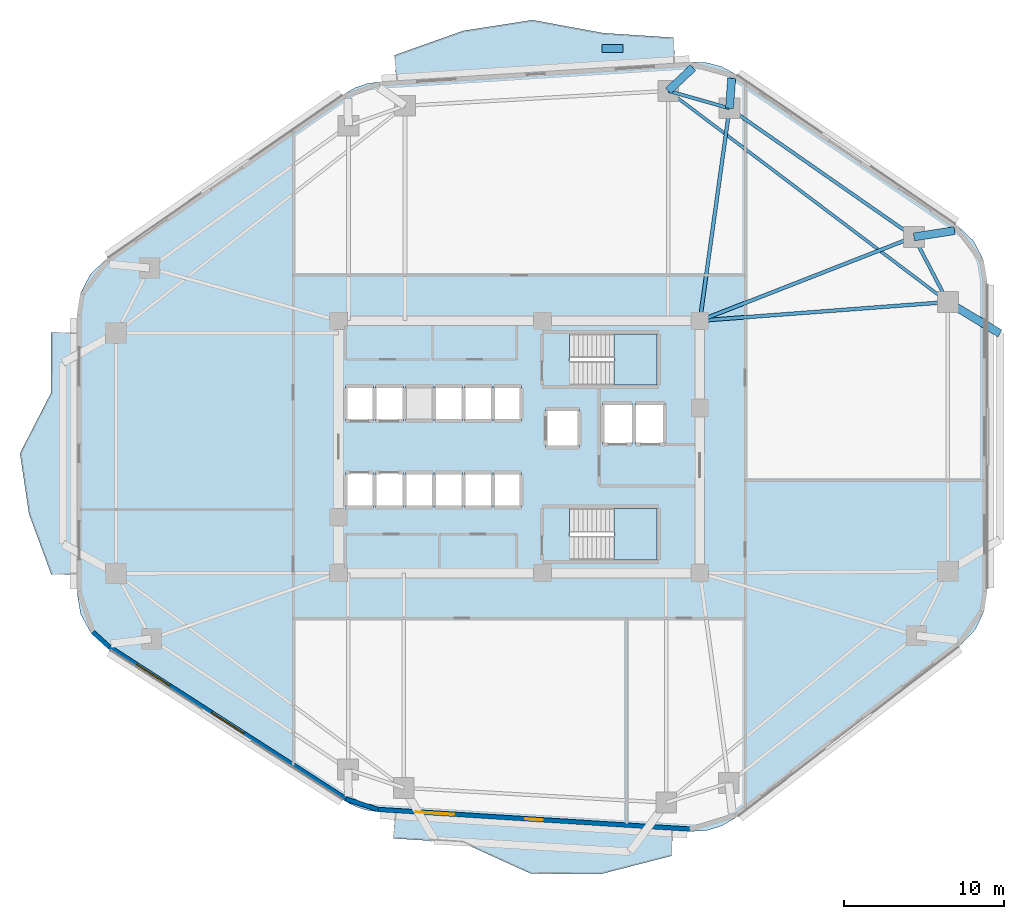
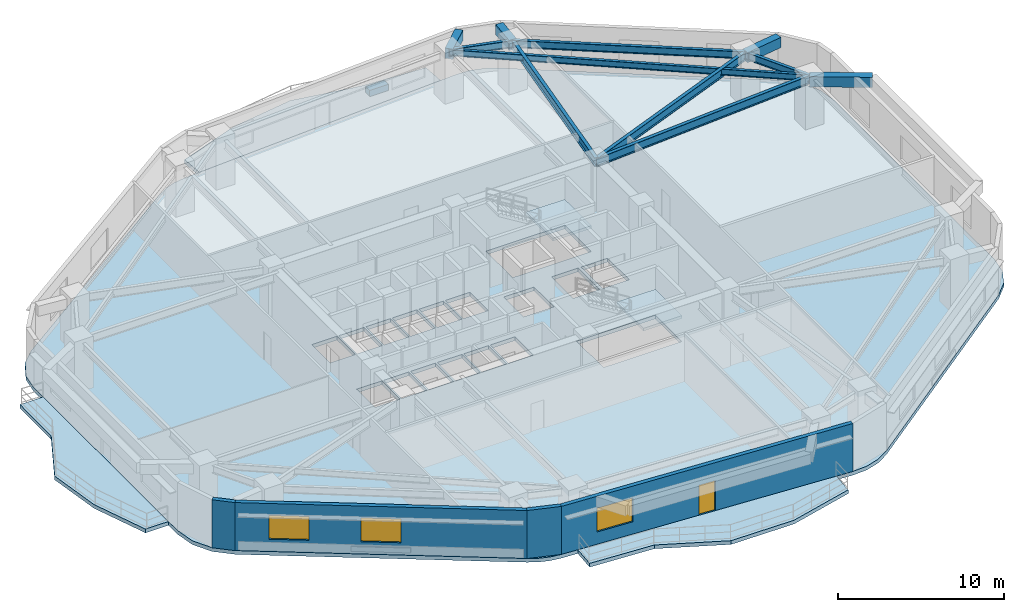
# One storey, part 2 of 11: 11 beams, 6 slabs, 4 walls, 3 windows, 1 door, 1 plate, 4 openings, 2 elements without a shape of their own.
"""IFC4 building model written with IfcOpenShell, lengths in metres."""

from ifc_helpers import new_model, si_unit, direction, frame, frame_2d, origin, origin_2d, place, context, subcontext, project, spatial, polyline, rectangle, i_section, outline, extrude, material, layer, layer_set, material_profile, profile_set, type_object, element, fill, aggregate, save


model = new_model("IFC4")

# Units and contexts
model_context = context("Model", 3, precision=1e-05, world=origin(), true_north=direction((0.0, 1.0)))
body_context = subcontext(model_context, "Body", "Model", "MODEL_VIEW")
ifc_project = project(units=[si_unit("LENGTHUNIT", "METRE"), si_unit("AREAUNIT", "SQUARE_METRE"), si_unit("VOLUMEUNIT", "CUBIC_METRE"), si_unit("PLANEANGLEUNIT", "RADIAN"), si_unit("MASSUNIT", "GRAM", prefix="KILO")], contexts=[model_context])

# Site, building, storey
site_placement = place(None, origin())
site = spatial("IfcSite", under=ifc_project, at=site_placement, CompositionType="ELEMENT")
building_placement = place(site_placement, origin())
building = spatial("IfcBuilding", under=site, at=building_placement, Name="Zulverin Broadcast Headquarters", CompositionType="ELEMENT")
storey_placement = place(building_placement, frame((0.0, 0.0, 28.800048828125)))
storey = spatial("IfcBuildingStorey", under=building, at=storey_placement, Name="L06", CompositionType="ELEMENT", Elevation=28.800048828125)

# Beams
ifc_material_1 = material(Name="Concrete C40/50", Category="concrete")
ifc_material_profile_1 = material_profile(ifc_material_1, rectangle(XDim=0.5, YDim=0.75, at=origin_2d()), Name="Concrete C40/50", Category="concrete")
ifc_profile_set_1 = profile_set([ifc_material_profile_1], Name="Concrete C40/50")
beam_type_1 = type_object("IfcBeamType", Name="BM-RC-500x750", PredefinedType="BEAM", material=ifc_profile_set_1)
beam_1_placement = place(storey_placement, frame((61.630126953125, 38.298583984375, 3.14990234375), z_axis=(0.988133444256, 0.153597839639, 0.0), x_axis=(-0.153597839639, 0.988133444256, 0.0)))
element("IfcBeam", 1, at=beam_1_placement, inside=storey, type_object=beam_type_1, Name="L07 Plate Overhang Back-Spanned Beam OVR-07", PredefinedType="BEAM", context=body_context, shape_type="SweptSolid", body=[
    extrude(rectangle(XDim=0.5, YDim=0.75, at=origin_2d()), origin(), (0.0, 0.0, 1.0), 2.57177734375),
])
beam_2_placement = place(storey_placement, frame((50.121826171875, 46.325927734375, 3.14990234375), z_axis=(0.073023006252, 0.997330256514, 0.0), x_axis=(-0.997330256514, 0.073023006252, 0.0)))
element("IfcBeam", 2, at=beam_2_placement, inside=storey, type_object=beam_type_1, Name="L07 Plate Overhang Back-Spanned Beam OVR-08", PredefinedType="BEAM", context=body_context, shape_type="SweptSolid", body=[
    extrude(rectangle(XDim=0.5, YDim=0.75, at=origin_2d()), origin(), (0.0, 0.0, 1.0), 1.875732421875),
])
beam_3_placement = place(storey_placement, frame((46.30224609375, 47.4091796875, 3.14990234375), z_axis=(0.728504534792, 0.685040978911, 0.0), x_axis=(-0.685040978911, 0.728504534792, 0.0)))
element("IfcBeam", 3, at=beam_3_placement, inside=storey, type_object=beam_type_1, Name="L07 Plate Overhang Back-Spanned Beam OVR-09", PredefinedType="BEAM", context=body_context, shape_type="SweptSolid", body=[
    extrude(rectangle(XDim=0.5, YDim=0.75, at=origin_2d()), origin(), (0.0, 0.0, 1.0), 2.11767578125),
])
beam_4_placement = place(storey_placement, frame((63.75, 34.235107421875, 3.14990234375), z_axis=(0.855593685746, -0.517647993246, 0.0), x_axis=(0.517647993246, 0.855593685746, 0.0)))
element("IfcBeam", 4, at=beam_4_placement, inside=storey, type_object=beam_type_1, Name="L07 Balcony Column-Framed Cantilever BAL_E-2", PredefinedType="BEAM", context=body_context, shape_type="SweptSolid", body=[
    extrude(rectangle(XDim=0.5, YDim=0.75, at=origin_2d()), origin(), (0.0, 0.0, 1.0), 3.800048828125),
])
ifc_material_2 = material(Name="Structural steel S355JR", Category="steel")
ifc_material_profile_2 = material_profile(ifc_material_2, i_section(OverallWidth=0.19287109375, OverallDepth=0.46728515625, WebThickness=0.011474609375, FlangeThickness=0.01953125, at=origin_2d()), Name="Structural steel S355JR", Category="steel")
ifc_profile_set_2 = profile_set([ifc_material_profile_2], Name="Structural steel S355JR")
beam_type_2 = type_object("IfcBeamType", Name="BM-UB-457", PredefinedType="JOIST", material=ifc_profile_set_2)
beam_5_placement = place(storey_placement, frame((63.75, 34.235107421875, 3.291259765625), z_axis=(-0.798058136838, 0.602580459546, 0.0), x_axis=(-0.602580459546, -0.798058136838, 0.0)))
element("IfcBeam", 5, at=beam_5_placement, inside=storey, type_object=beam_type_2, Name="L06 Chordal Floor Joist J-02", PredefinedType="JOIST", context=body_context, shape_type="SweptSolid", body=[
    extrude(i_section(OverallWidth=0.19287109375, OverallDepth=0.46728515625, WebThickness=0.011474609375, FlangeThickness=0.01953125, at=origin_2d()), origin(), (0.0, 0.0, 1.0), 21.86279296875),
])
ifc_material_profile_3 = material_profile(ifc_material_2, i_section(OverallWidth=0.2119140625, OverallDepth=0.54443359375, WebThickness=0.0126953125, FlangeThickness=0.021240234375, at=origin_2d()), Name="Structural steel S355JR", Category="steel")
ifc_profile_set_3 = profile_set([ifc_material_profile_3], Name="Structural steel S355JR")
beam_type_3 = type_object("IfcBeamType", Name="BM-UB-533", PredefinedType="SPANDREL", material=ifc_profile_set_3)
beam_6_placement = place(storey_placement, frame((63.75, 34.235107421875, 3.252685546875), z_axis=(-0.462531417359, 0.886602891917, 0.0), x_axis=(-0.886602891917, -0.462531417359, 0.0)))
element("IfcBeam", 6, at=beam_6_placement, inside=storey, type_object=beam_type_3, Name="L06 Perimeter Spandrel Beam SP-06", PredefinedType="SPANDREL", context=body_context, shape_type="SweptSolid", body=[
    extrude(i_section(OverallWidth=0.2119140625, OverallDepth=0.54443359375, WebThickness=0.0126953125, FlangeThickness=0.021240234375, at=origin_2d()), origin(), (0.0, 0.0, 1.0), 4.583251953125),
])
beam_7_placement = place(storey_placement, frame((61.630126953125, 38.298583984375, 3.252685546875), z_axis=(-0.820183915206, 0.5720999434, 0.0), x_axis=(-0.5720999434, -0.820183915206, 0.0)))
element("IfcBeam", 7, at=beam_7_placement, inside=storey, type_object=beam_type_3, Name="L06 Perimeter Spandrel Beam SP-07", PredefinedType="SPANDREL", context=body_context, shape_type="SweptSolid", body=[
    extrude(i_section(OverallWidth=0.2119140625, OverallDepth=0.54443359375, WebThickness=0.0126953125, FlangeThickness=0.021240234375, at=origin_2d()), origin(), (0.0, 0.0, 1.0), 14.03125),
])
beam_8_placement = place(storey_placement, frame((50.121826171875, 46.325927734375, 3.252685546875), z_axis=(-0.962058150721, 0.272844487999, 0.0), x_axis=(-0.272844487999, -0.962058150721, 0.0)))
element("IfcBeam", 8, at=beam_8_placement, inside=storey, type_object=beam_type_3, Name="L06 Perimeter Spandrel Beam SP-08", PredefinedType="SPANDREL", context=body_context, shape_type="SweptSolid", body=[
    extrude(i_section(OverallWidth=0.2119140625, OverallDepth=0.54443359375, WebThickness=0.0126953125, FlangeThickness=0.021240234375, at=origin_2d()), origin(), (0.0, 0.0, 1.0), 3.97021484375),
])
ifc_material_profile_4 = material_profile(ifc_material_2, i_section(OverallWidth=0.230224609375, OverallDepth=0.6171875, WebThickness=0.01318359375, FlangeThickness=0.022216796875, at=origin_2d()), Name="Structural steel S355JR", Category="steel")
ifc_profile_set_4 = profile_set([ifc_material_profile_4], Name="Structural steel S355JR")
beam_type_4 = type_object("IfcBeamType", Name="BM-UB-610", PredefinedType="BEAM", material=ifc_profile_set_4)
beam_9_placement = place(storey_placement, frame((48.27490234375, 33.074951171875, 3.21630859375), z_axis=(0.997201597387, 0.074759442003, 0.0), x_axis=(-0.074759442003, 0.997201597387, 0.0)))
element("IfcBeam", 9, at=beam_9_placement, inside=storey, type_object=beam_type_4, Name="L06 Radial Primary Floor Beam RB-06", PredefinedType="BEAM", context=body_context, shape_type="SweptSolid", body=[
    extrude(i_section(OverallWidth=0.230224609375, OverallDepth=0.6171875, WebThickness=0.01318359375, FlangeThickness=0.022216796875, at=origin_2d()), origin(), (0.0, 0.0, 1.0), 15.5185546875),
])
beam_10_placement = place(storey_placement, frame((48.27490234375, 33.074951171875, 3.21630859375), z_axis=(0.931297778153, 0.364258765723, 0.0), x_axis=(-0.364258765723, 0.931297778153, 0.0)))
element("IfcBeam", 10, at=beam_10_placement, inside=storey, type_object=beam_type_4, Name="L06 Radial Primary Floor Beam RB-07", PredefinedType="BEAM", context=body_context, shape_type="SweptSolid", body=[
    extrude(i_section(OverallWidth=0.230224609375, OverallDepth=0.6171875, WebThickness=0.01318359375, FlangeThickness=0.022216796875, at=origin_2d()), origin(), (0.0, 0.0, 1.0), 14.34033203125),
])
beam_11_placement = place(storey_placement, frame((48.27490234375, 33.074951171875, 3.21630859375), z_axis=(0.138045758193, 0.990425852169, 0.0), x_axis=(-0.990425852169, 0.138045758193, 0.0)))
element("IfcBeam", 11, at=beam_11_placement, inside=storey, type_object=beam_type_4, Name="L06 Radial Primary Floor Beam RB-08", PredefinedType="BEAM", context=body_context, shape_type="SweptSolid", body=[
    extrude(i_section(OverallWidth=0.230224609375, OverallDepth=0.6171875, WebThickness=0.01318359375, FlangeThickness=0.022216796875, at=origin_2d()), origin(), (0.0, 0.0, 1.0), 13.379150390625),
])

# Plate
ifc_material_3 = material(Name="Precast concrete C45/55", Category="concrete")
ifc_layer_1 = layer(ifc_material_3, 0.449951171875, Name="Precast concrete C45/55", Category="concrete")
ifc_layer_set_1 = layer_set([ifc_layer_1], Name="Precast concrete C45/55")
plate_type = type_object("IfcPlateType", Name="PT-01_PRECAST_GFRC_TREE_PLANTER", PredefinedType="USERDEFINED", material=ifc_layer_set_1)
plate_placement = place(storey_placement, frame((42.825927734375, 50.04638671875, -0.0048828125), z_axis=(0.0, 0.0, 1.0), x_axis=(1.0, 0.0, 0.0)))
element("IfcPlate", 12, at=plate_placement, inside=storey, type_object=plate_type, Name="L06 Precast GFRC Tree Planter BAL_N", ObjectType="PLANTER", PredefinedType="USERDEFINED", context=body_context, shape_type="SweptSolid", body=[
    extrude(rectangle(XDim=1.300048828125, YDim=0.5, at=origin_2d()), origin(), (0.0, 0.0, 1.0), 0.449951171875),
])

# Slabs
ifc_layer_2 = layer(ifc_material_1, 0.27490234375, Name="Concrete C40/50", Category="concrete")
ifc_layer_set_2 = layer_set([ifc_layer_2], Name="Concrete C40/50")
slab_type_1 = type_object("IfcSlabType", Name="SLB-BAL-275", PredefinedType="FLOOR", material=ifc_layer_set_2)
slab_1_placement = place(storey_placement, frame((0.0, 0.0, -0.275146484375)))
element("IfcSlab", 13, at=slab_1_placement, inside=storey, type_object=slab_type_1, Name="L06 Cantilevered Planted Balcony Slab BAL_N", PredefinedType="FLOOR", context=body_context, shape_type="SweptSolid", body=[
    extrude(outline(polyline([(29.330078125, 48.04296875), (46.72509765625, 49.139892578125), (46.62451171875, 50.73681640625), (42.240478515625, 51.0224609375), (37.8232421875, 51.8349609375), (33.49951171875, 51.160888671875), (29.2294921875, 49.639892578125), (29.330078125, 48.04296875)])), origin(), (0.0, 0.0, 1.0), 0.275146484375),
])
slab_2_placement = place(storey_placement, frame((0.0, 0.0, -0.275146484375)))
element("IfcSlab", 14, at=slab_2_placement, inside=storey, type_object=slab_type_1, Name="L06 Cantilevered Planted Balcony Slab BAL_W", PredefinedType="FLOOR", context=body_context, shape_type="SweptSolid", body=[
    extrude(outline(polyline([(9.39990234375, 17.24365234375), (9.39990234375, 32.344482421875), (7.800048828125, 32.344482421875), (7.78515625, 28.569091796875), (5.85009765625, 24.7939453125), (6.40869140625, 21.018798828125), (7.800048828125, 17.24365234375), (9.39990234375, 17.24365234375)])), origin(), (0.0, 0.0, 1.0), 0.275146484375),
])
slab_3_placement = place(storey_placement, frame((0.0, 0.0, -0.275146484375)))
element("IfcSlab", 15, at=slab_3_placement, inside=storey, type_object=slab_type_1, Name="L06 Cantilevered Planted Balcony Slab BAL_S", PredefinedType="FLOOR", context=body_context, shape_type="SweptSolid", body=[
    extrude(outline(polyline([(46.5927734375, 1.268310546875), (29.250244140625, 2.3623046875), (29.149658203125, 0.765380859375), (33.485107421875, 0.491943359375), (37.717041015625, -1.42822265625), (42.067626953125, -1.4638671875), (46.4921875, -0.328369140625), (46.5927734375, 1.268310546875)])), origin(), (0.0, 0.0, 1.0), 0.275146484375),
])

# Stair, slab
stair_type = type_object("IfcStairType", Name="ST-CORE-1500", PredefinedType="HALF_TURN_STAIR", material=ifc_material_1)
stair_1_placement = place(storey_placement, origin())
stair_1 = element("IfcStair", 16, at=stair_1_placement, inside=storey, type_object=stair_type, Name="L06 Core Exit Stair ST-1", PredefinedType="HALF_TURN_STAIR")
ifc_layer_3 = layer(ifc_material_1, 0.199951171875, Name="Concrete C40/50", Category="concrete")
ifc_layer_set_3 = layer_set([ifc_layer_3], Name="Concrete C40/50")
slab_type_2 = type_object("IfcSlabType", Name="SLB-ST-LND200", PredefinedType="LANDING", material=ifc_layer_set_3)
slab_4_placement = place(storey_placement, frame((0.0, 0.0, 1.699951171875)))
slab_4 = element("IfcSlab", 17, at=slab_4_placement, type_object=slab_type_2, Name="ST-1 landing 1", PredefinedType="LANDING", context=body_context, shape_type="SweptSolid", body=[
    extrude(outline(polyline([(42.929931640625, 29.050048828125), (45.60009765625, 29.050048828125), (45.60009765625, 32.25), (42.929931640625, 32.25), (42.929931640625, 29.050048828125)])), origin(), (0.0, 0.0, 1.0), 0.199951171875),
])
aggregate(stair_1, [slab_4])

stair_2_placement = place(storey_placement, origin())
stair_2 = element("IfcStair", 18, at=stair_2_placement, inside=storey, type_object=stair_type, Name="L06 Core Exit Stair ST-2", PredefinedType="HALF_TURN_STAIR")
slab_5_placement = place(storey_placement, frame((0.0, 0.0, 1.699951171875)))
slab_5 = element("IfcSlab", 19, at=slab_5_placement, type_object=slab_type_2, Name="ST-2 landing 1", PredefinedType="LANDING", context=body_context, shape_type="SweptSolid", body=[
    extrude(outline(polyline([(42.929931640625, 18.14990234375), (45.60009765625, 18.14990234375), (45.60009765625, 21.35009765625), (42.929931640625, 21.35009765625), (42.929931640625, 18.14990234375)])), origin(), (0.0, 0.0, 1.0), 0.199951171875),
])
aggregate(stair_2, [slab_5])

# Slab
ifc_layer_4 = layer(ifc_material_1, 0.27490234375, Name="Concrete C40/50", Category="concrete")
ifc_layer_set_4 = layer_set([ifc_layer_4], Name="Concrete C40/50")
slab_type_3 = type_object("IfcSlabType", Name="SLB-TWR-275", PredefinedType="FLOOR", material=ifc_layer_set_4)
slab_6_placement = place(storey_placement, frame((0.0, 0.0, -0.275146484375)))
element("IfcSlab", 20, at=slab_6_placement, inside=storey, type_object=slab_type_3, Name="L06 Main Structural Floor Slab", PredefinedType="FLOOR", context=body_context, shape_type="SweptSolid", body=[
    extrude(outline(polyline([(26.146484375, 3.089599609375), (26.774658203125, 2.75732421875), (27.44970703125, 2.535888671875), (28.152587890625, 2.431396484375), (47.690673828125, 1.19921875), (48.69189453125, 1.256103515625), (49.6513671875, 1.548828125), (50.51416015625, 2.060546875), (64.55908203125, 12.85302734375), (65.44140625, 13.77587890625), (66.005859375, 14.92138671875), (66.199951171875, 16.183349609375), (66.199951171875, 35.514404296875), (65.981689453125, 36.85107421875), (65.349365234375, 38.048583984375), (64.368896484375, 38.982666015625), (50.456298828125, 48.485595703125), (49.639404296875, 48.920166015625), (48.747314453125, 49.165283203125), (47.822998046875, 49.208984375), (28.232421875, 47.9736328125), (27.481201171875, 47.857421875), (26.76318359375, 47.607666015625), (26.102294921875, 47.232666015625), (11.20556640625, 36.89501953125), (10.238037109375, 35.9619140625), (9.614990234375, 34.77099609375), (9.39990234375, 33.4443359375), (9.39990234375, 16.1435546875), (9.631103515625, 14.769775390625), (10.298583984375, 13.547119140625), (11.32958984375, 12.610107421875), (26.146484375, 3.089599609375)]), holes=[polyline([(40.155029296875, 30.75), (40.130126953125, 30.75), (40.130126953125, 32.25), (45.60009765625, 32.25), (45.60009765625, 29.050048828125), (40.155029296875, 29.050048828125), (40.155029296875, 30.75)]), polyline([(40.155029296875, 19.85009765625), (40.130126953125, 19.85009765625), (40.130126953125, 21.35009765625), (45.60009765625, 21.35009765625), (45.60009765625, 18.14990234375), (40.155029296875, 18.14990234375), (40.155029296875, 19.85009765625)]), polyline([(26.14990234375, 26.800048828125), (27.89990234375, 26.800048828125), (27.89990234375, 29.0), (26.14990234375, 29.0), (26.14990234375, 26.800048828125)]), polyline([(28.02001953125, 26.800048828125), (29.77001953125, 26.800048828125), (29.77001953125, 29.0), (28.02001953125, 29.0), (28.02001953125, 26.800048828125)]), polyline([(26.14990234375, 21.39990234375), (27.89990234375, 21.39990234375), (27.89990234375, 23.60009765625), (26.14990234375, 23.60009765625), (26.14990234375, 21.39990234375)]), polyline([(28.02001953125, 21.39990234375), (29.77001953125, 21.39990234375), (29.77001953125, 23.60009765625), (28.02001953125, 23.60009765625), (28.02001953125, 21.39990234375)]), polyline([(29.89990234375, 21.39990234375), (31.6201171875, 21.39990234375), (31.6201171875, 23.60009765625), (29.89990234375, 23.60009765625), (29.89990234375, 21.39990234375)]), polyline([(31.739990234375, 21.39990234375), (33.4599609375, 21.39990234375), (33.4599609375, 23.60009765625), (31.739990234375, 23.60009765625), (31.739990234375, 21.39990234375)]), polyline([(33.580078125, 21.39990234375), (35.300048828125, 21.39990234375), (35.300048828125, 23.60009765625), (33.580078125, 23.60009765625), (33.580078125, 21.39990234375)]), polyline([(35.419921875, 21.39990234375), (37.139892578125, 21.39990234375), (37.139892578125, 23.60009765625), (35.419921875, 23.60009765625), (35.419921875, 21.39990234375)]), polyline([(29.89990234375, 26.800048828125), (31.6201171875, 26.800048828125), (31.6201171875, 29.0), (29.89990234375, 29.0), (29.89990234375, 26.800048828125)]), polyline([(31.739990234375, 26.800048828125), (33.4599609375, 26.800048828125), (33.4599609375, 29.0), (31.739990234375, 29.0), (31.739990234375, 26.800048828125)]), polyline([(33.580078125, 26.800048828125), (35.300048828125, 26.800048828125), (35.300048828125, 29.0), (33.580078125, 29.0), (33.580078125, 26.800048828125)]), polyline([(35.419921875, 26.800048828125), (37.139892578125, 26.800048828125), (37.139892578125, 29.0), (35.419921875, 29.0), (35.419921875, 26.800048828125)]), polyline([(42.199951171875, 25.35009765625), (44.050048828125, 25.35009765625), (44.050048828125, 27.949951171875), (42.199951171875, 27.949951171875), (42.199951171875, 25.35009765625)]), polyline([(44.25, 25.35009765625), (46.10009765625, 25.35009765625), (46.10009765625, 27.949951171875), (44.25, 27.949951171875), (44.25, 25.35009765625)]), polyline([(38.64990234375, 25.14990234375), (40.75, 25.14990234375), (40.75, 27.550048828125), (38.64990234375, 27.550048828125), (38.64990234375, 25.14990234375)])]), origin(), (0.0, 0.0, 1.0), 0.275146484375),
])

# Wall, openings, door, window
ifc_material_4 = material(Name="Insulated pale-metal clad concrete spandrel C40/50", Category="concrete")
ifc_layer_5 = layer(ifc_material_4, 0.280029296875, Name="Insulated pale-metal clad concrete spandrel C40/50", Category="concrete")
ifc_layer_set_5 = layer_set([ifc_layer_5], Name="Insulated pale-metal clad concrete spandrel C40/50")
wall_type = type_object("IfcWallType", Name="WL-EXT-280", PredefinedType="STANDARD", material=ifc_layer_set_5)
wall_1_placement = place(storey_placement, frame((28.161376953125, 2.571044921875, 0.0), z_axis=(0.0, 0.0, 1.0), x_axis=(0.998017288298, -0.06294038654, 0.0)))
wall_1 = element("IfcWall", 21, at=wall_1_placement, inside=storey, type_object=wall_type, Name="L06 Pale-Metal Clad Spandrel Wall 1", PredefinedType="STANDARD", context=body_context, shape_type="SweptSolid", body=[
    extrude(rectangle(XDim=19.576904296875, YDim=0.280029296875, at=frame_2d((9.78857421875, 0.0))), origin(), (0.0, 0.0, 1.0), 3.52490234375),
])
opening_1_placement = place(wall_1_placement, frame((9.238525390625, 0.0, 0.0)))
opening_1 = element("IfcOpeningElement", 22, at=opening_1_placement, cuts=wall_1, Name="Opening D-L06-TR1", PredefinedType="OPENING", context=body_context, shape_type="SweptSolid", body=[
    extrude(rectangle(XDim=1.10009765625, YDim=2.199951171875, at=frame_2d((0.550048828125, 1.10009765625))), frame((0.0, 0.14990234375, 0.0), z_axis=(0.0, -1.0, 0.0), x_axis=(1.0, 0.0, 0.0)), (0.0, 0.0, 1.0), 0.300048828125),
])
opening_2_placement = place(wall_1_placement, frame((2.396240234375, 0.0, 0.89990234375)))
opening_2 = element("IfcOpeningElement", 23, at=opening_2_placement, cuts=wall_1, Name="Opening W-L06-E11", PredefinedType="OPENING", context=body_context, shape_type="SweptSolid", body=[
    extrude(rectangle(XDim=2.39990234375, YDim=1.75, at=frame_2d((1.199951171875, 0.875))), frame((0.0, 0.14990234375, 0.0), z_axis=(0.0, -1.0, 0.0), x_axis=(1.0, 0.0, 0.0)), (0.0, 0.0, 1.0), 0.300048828125),
])
ifc_material_5 = material(Name="Thermally broken aluminium glazed", Category="aluminium")
door_type = type_object("IfcDoorType", Name="DR-TERR-1100", OperationType="SINGLE_SWING_RIGHT", PredefinedType="DOOR", material=ifc_material_5)
door_placement = place(opening_1_placement, origin())
door = element("IfcDoor", 24, at=door_placement, inside=storey, type_object=door_type, Name="L06 Planted Terrace Glazed Access Door 1", OperationType="SINGLE_SWING_RIGHT", OverallHeight=2.199951171875, OverallWidth=1.10009765625, PredefinedType="DOOR", context=body_context, shape_type="SweptSolid", body=[
    extrude(rectangle(XDim=1.10009765625, YDim=2.199951171875, at=frame_2d((0.550048828125, 1.10009765625))), frame((0.0, 0.02490234375, 0.0), z_axis=(0.0, -1.0, 0.0), x_axis=(1.0, 0.0, 0.0)), (0.0, 0.0, 1.0), 0.050048828125),
])
fill(opening_1, door)
ifc_material_6 = material(Name="Pale anodized aluminium frame with solar-control low-E double glazing", Category="aluminium")
window_type = type_object("IfcWindowType", Name="WIN-RIB-2400", PartitioningType="SINGLE_PANEL", PredefinedType="WINDOW", material=ifc_material_6)
window_1_placement = place(opening_2_placement, origin())
window_1 = element("IfcWindow", 25, at=window_1_placement, inside=storey, type_object=window_type, Name="L06 Ribbon Glazing Window 1 1", OverallHeight=1.75, OverallWidth=2.39990234375, PartitioningType="SINGLE_PANEL", PredefinedType="WINDOW", context=body_context, shape_type="SweptSolid", body=[
    extrude(rectangle(XDim=2.39990234375, YDim=1.75, at=frame_2d((1.199951171875, 0.875))), frame((0.0, 0.030029296875, 0.0), z_axis=(0.0, -1.0, 0.0), x_axis=(1.0, 0.0, 0.0)), (0.0, 0.0, 1.0), 0.06005859375),
])
fill(opening_2, window_1)

# Wall, openings, windows
wall_2_placement = place(storey_placement, frame((11.4052734375, 12.727783203125, 0.0), z_axis=(0.0, 0.0, 1.0), x_axis=(0.841304564637, -0.540561402175, 0.0)))
wall_2 = element("IfcWall", 26, at=wall_2_placement, inside=storey, type_object=wall_type, Name="L06 Pale-Metal Clad Spandrel Wall 8", PredefinedType="STANDARD", context=body_context, shape_type="SweptSolid", body=[
    extrude(rectangle(XDim=17.61181640625, YDim=0.280029296875, at=frame_2d((8.805908203125, 0.0))), origin(), (0.0, 0.0, 1.0), 3.52490234375),
])
opening_3_placement = place(wall_2_placement, frame((2.068603515625, 0.0, 0.89990234375)))
opening_3 = element("IfcOpeningElement", 27, at=opening_3_placement, cuts=wall_2, Name="Opening W-L06-E81", PredefinedType="OPENING", context=body_context, shape_type="SweptSolid", body=[
    extrude(rectangle(XDim=2.39990234375, YDim=1.75, at=frame_2d((1.199951171875, 0.875))), frame((0.0, 0.14990234375, 0.0), z_axis=(0.0, -1.0, 0.0), x_axis=(1.0, 0.0, 0.0)), (0.0, 0.0, 1.0), 0.300048828125),
])
opening_4_placement = place(wall_2_placement, frame((7.60595703125, 0.0, 0.89990234375)))
opening_4 = element("IfcOpeningElement", 28, at=opening_4_placement, cuts=wall_2, Name="Opening W-L06-E82", PredefinedType="OPENING", context=body_context, shape_type="SweptSolid", body=[
    extrude(rectangle(XDim=2.39990234375, YDim=1.75, at=frame_2d((1.199951171875, 0.875))), frame((0.0, 0.14990234375, 0.0), z_axis=(0.0, -1.0, 0.0), x_axis=(1.0, 0.0, 0.0)), (0.0, 0.0, 1.0), 0.300048828125),
])
window_2_placement = place(opening_3_placement, origin())
window_2 = element("IfcWindow", 29, at=window_2_placement, inside=storey, type_object=window_type, Name="L06 Ribbon Glazing Window 8 1", OverallHeight=1.75, OverallWidth=2.39990234375, PartitioningType="SINGLE_PANEL", PredefinedType="WINDOW", context=body_context, shape_type="SweptSolid", body=[
    extrude(rectangle(XDim=2.39990234375, YDim=1.75, at=frame_2d((1.199951171875, 0.875))), frame((0.0, 0.030029296875, 0.0), z_axis=(0.0, -1.0, 0.0), x_axis=(1.0, 0.0, 0.0)), (0.0, 0.0, 1.0), 0.06005859375),
])
fill(opening_3, window_2)
window_3_placement = place(opening_4_placement, origin())
window_3 = element("IfcWindow", 30, at=window_3_placement, inside=storey, type_object=window_type, Name="L06 Ribbon Glazing Window 8 2", OverallHeight=1.75, OverallWidth=2.39990234375, PartitioningType="SINGLE_PANEL", PredefinedType="WINDOW", context=body_context, shape_type="SweptSolid", body=[
    extrude(rectangle(XDim=2.39990234375, YDim=1.75, at=frame_2d((1.199951171875, 0.875))), frame((0.0, 0.030029296875, 0.0), z_axis=(0.0, -1.0, 0.0), x_axis=(1.0, 0.0, 0.0)), (0.0, 0.0, 1.0), 0.06005859375),
])
fill(opening_4, window_3)

# Walls
wall_3_placement = place(storey_placement, frame((10.392822265625, 13.650634765625, 0.0), z_axis=(0.0, 0.0, 1.0), x_axis=(0.74003521851, -0.672568119498, 0.0)))
element("IfcWall", 31, at=wall_3_placement, inside=storey, type_object=wall_type, Name="L06 Wind-Shaped Corner Spandrel Wall 7-2", PredefinedType="STANDARD", context=body_context, shape_type="SweptSolid", body=[
    extrude(rectangle(XDim=1.39306640625, YDim=0.280029296875, at=frame_2d((0.696533203125, 0.0))), origin(), (0.0, 0.0, 1.0), 3.52490234375),
])
wall_4_placement = place(storey_placement, frame((26.18994140625, 3.22265625, 0.0), z_axis=(0.0, 0.0, 1.0), x_axis=(0.95016442175, -0.311749212734, 0.0)))
element("IfcWall", 32, at=wall_4_placement, inside=storey, type_object=wall_type, Name="L06 Wind-Shaped Corner Spandrel Wall 8-1", PredefinedType="STANDARD", context=body_context, shape_type="SweptSolid", body=[
    extrude(rectangle(XDim=2.111328125, YDim=0.280029296875, at=frame_2d((1.0556640625, 0.0))), origin(), (0.0, 0.0, 1.0), 3.52490234375),
])

save(model, "model.ifc")
